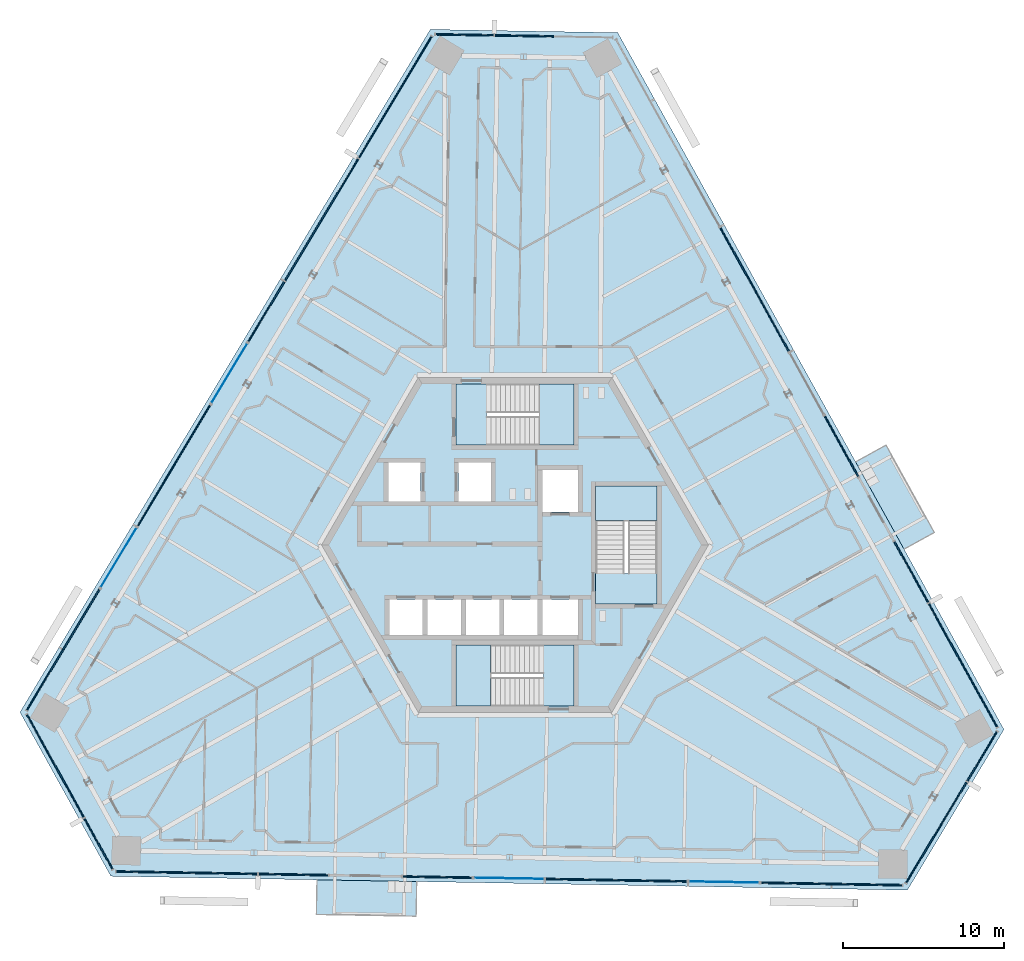
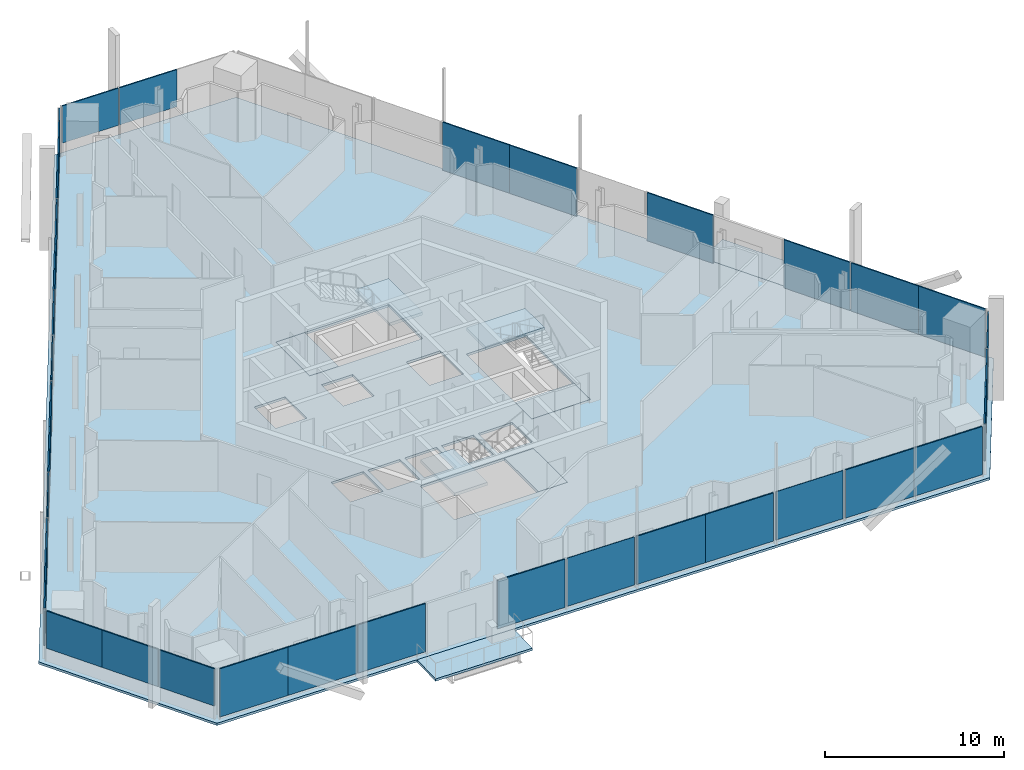
# One storey, part 10 of 22: 35 plates, 9 slabs, 20 elements without a shape of their own.
"""IFC4 building model written with IfcOpenShell, lengths in metres."""

from ifc_helpers import new_model, si_unit, direction, frame, origin, origin_2d, place, context, subcontext, project, spatial, polyline, rectangle, outline, extrude, source, transform, mapped, material, layer, layer_set, type_object, element, aggregate, save


model = new_model("IFC4")

# Units and contexts
model_context = context("Model", 3, precision=1e-05, world=origin(), true_north=direction((0.0, 1.0)))
body_context = subcontext(model_context, "Body", "Model", "MODEL_VIEW")
ifc_project = project(units=[si_unit("LENGTHUNIT", "METRE"), si_unit("AREAUNIT", "SQUARE_METRE"), si_unit("VOLUMEUNIT", "CUBIC_METRE"), si_unit("PLANEANGLEUNIT", "RADIAN"), si_unit("MASSUNIT", "GRAM", prefix="KILO")], contexts=[model_context])

# Site, building, storey
site_placement = place(None, origin())
site = spatial("IfcSite", under=ifc_project, at=site_placement, CompositionType="ELEMENT")
building_placement = place(site_placement, origin())
building = spatial("IfcBuilding", under=site, at=building_placement, Name="Triune Harvest Tower", CompositionType="ELEMENT")
storey_placement = place(building_placement, frame((0.0, 0.0, 208.699951171875)))
storey = spatial("IfcBuildingStorey", under=building, at=storey_placement, Name="L54", CompositionType="ELEMENT", Elevation=208.699951171875)

# Slabs
ifc_material_1 = material(Name="Concrete 40 MPa", Category="concrete")
ifc_layer_1 = layer(ifc_material_1, 0.159912109375)
ifc_layer_set_1 = layer_set([ifc_layer_1], Name="Concrete 40 MPa")
slab_type_1 = type_object("IfcSlabType", Name="BA-1 balcony slab 160", PredefinedType="FLOOR", material=ifc_layer_set_1)
slab_1_placement = place(storey_placement, frame((0.0, 0.0, -0.159912109375)))
element("IfcSlab", 1, at=slab_1_placement, inside=storey, type_object=slab_type_1, Name="Balcony slab B5-F1 L54.4", PredefinedType="FLOOR", context=body_context, shape_type="SweptSolid", body=[
    extrude(outline(polyline([(24.12646484375, -0.256591796875), (21.127685546875, 5.153076171875), (23.00634765625, 6.1943359375), (26.005126953125, 0.78466796875), (24.12646484375, -0.256591796875)])), origin(), (0.0, 0.0, 1.0), 0.159912109375),
])
slab_2_placement = place(storey_placement, frame((0.0, 0.0, -0.159912109375)))
element("IfcSlab", 2, at=slab_2_placement, inside=storey, type_object=slab_type_1, Name="Balcony slab B5-F5 L54.4", PredefinedType="FLOOR", context=body_context, shape_type="SweptSolid", body=[
    extrude(outline(polyline([(-12.285400390625, -20.765869140625), (-6.10107421875, -20.873779296875), (-6.138671875, -23.021484375), (-12.322998046875, -22.913330078125), (-12.285400390625, -20.765869140625)])), origin(), (0.0, 0.0, 1.0), 0.159912109375),
])
ifc_material_2 = material(Name="Concrete 40 MPa", Category="concrete")
ifc_layer_2 = layer(ifc_material_2, 0.159912109375)
ifc_layer_set_2 = layer_set([ifc_layer_2], Name="Concrete 40 MPa")
slab_type_2 = type_object("IfcSlabType", Name="SL-1 Composite floor slab 160", PredefinedType="FLOOR", material=ifc_layer_set_2)
shared_shape_1 = source(origin(), body_context, "Body", "SweptSolid", [
    extrude(outline(polyline([(30.324951171875, -11.439208984375), (6.368896484375, 31.77880859375), (-5.256103515625, 31.981689453125), (-30.705810546875, -10.373779296875), (-25.069091796875, -20.542724609375), (24.3369140625, -21.405029296875), (30.324951171875, -11.439208984375)]), holes=[polyline([(-5.72509765625, -5.590087890625), (-5.72509765625, -3.389892578125), (-7.800048828125, -3.389892578125), (-7.800048828125, -5.590087890625), (-5.72509765625, -5.590087890625)]), polyline([(-3.35009765625, -5.590087890625), (-3.35009765625, -3.389892578125), (-5.425048828125, -3.389892578125), (-5.425048828125, -5.590087890625), (-3.35009765625, -5.590087890625)]), polyline([(-0.97509765625, -5.590087890625), (-0.97509765625, -3.389892578125), (-3.050048828125, -3.389892578125), (-3.050048828125, -5.590087890625), (-0.97509765625, -5.590087890625)]), polyline([(1.39990234375, -5.590087890625), (1.39990234375, -3.389892578125), (-0.675048828125, -3.389892578125), (-0.675048828125, -5.590087890625), (1.39990234375, -5.590087890625)]), polyline([(3.89990234375, 2.06005859375), (3.89990234375, 4.659912109375), (1.699951171875, 4.659912109375), (1.699951171875, 2.06005859375), (3.89990234375, 2.06005859375)]), polyline([(3.89990234375, -5.590087890625), (3.89990234375, -3.389892578125), (1.699951171875, -3.389892578125), (1.699951171875, -5.590087890625), (3.89990234375, -5.590087890625)]), polyline([(-5.85009765625, 2.7099609375), (-5.85009765625, 5.110107421875), (-7.85009765625, 5.110107421875), (-7.85009765625, 2.7099609375), (-5.85009765625, 2.7099609375)]), polyline([(-1.5, 2.7099609375), (-1.5, 5.110107421875), (-3.5, 5.110107421875), (-3.5, 2.7099609375), (-1.5, 2.7099609375)]), polyline([(3.64990234375, 6.18994140625), (3.64990234375, 9.989990234375), (-3.64990234375, 9.989990234375), (-3.64990234375, 6.18994140625), (3.64990234375, 6.18994140625)]), polyline([(3.64990234375, -9.989990234375), (3.64990234375, -6.18994140625), (-3.64990234375, -6.18994140625), (-3.64990234375, -9.989990234375), (3.64990234375, -9.989990234375)]), polyline([(8.800048828125, -3.64990234375), (8.800048828125, 3.64990234375), (5.0, 3.64990234375), (5.0, -3.64990234375), (8.800048828125, -3.64990234375)])]), origin(), (0.0, 0.0, 1.0), 0.159912109375),
])
slab_3_placement = place(storey_placement, frame((0.0, 0.0, -0.159912109375)))
element("IfcSlab", 3, at=slab_3_placement, inside=storey, type_object=slab_type_2, Name="slab/L54/1", PredefinedType="FLOOR", context=body_context, shape_type="MappedRepresentation", body=[
    mapped(shared_shape_1, transform((0.0, 0.0, 0.0), scale=1.0)),
])

# Stair, slabs
ifc_material_3 = material(Name="Concrete 40 MPa", Category="concrete")
stair_type = type_object("IfcStairType", Name="Exit stair 1800 half turn", PredefinedType="HALF_TURN_STAIR", material=ifc_material_3)
stair_1_placement = place(storey_placement, origin())
stair_1 = element("IfcStair", 4, at=stair_1_placement, inside=storey, type_object=stair_type, Name="Exit stair north", PredefinedType="HALF_TURN_STAIR")
ifc_material_4 = material(Name="Concrete 40 MPa", Category="concrete")
ifc_layer_3 = layer(ifc_material_4, 0.199951171875)
ifc_layer_set_3 = layer_set([ifc_layer_3], Name="Concrete 40 MPa")
slab_type_3 = type_object("IfcSlabType", Name="Stair landing 200", PredefinedType="LANDING", material=ifc_layer_set_3)
shared_shape_2 = source(origin(), body_context, "Body", "SweptSolid", [
    extrude(outline(polyline([(1.510009765625, 6.18994140625), (3.64990234375, 6.18994140625), (3.64990234375, 9.989990234375), (1.510009765625, 9.989990234375), (1.510009765625, 6.18994140625)])), origin(), (0.0, 0.0, 1.0), 0.199951171875),
])
slab_4_placement = place(storey_placement, frame((0.0, 0.0, 1.60009765625)))
slab_4 = element("IfcSlab", 5, at=slab_4_placement, type_object=slab_type_3, Name="ST-1 landing 2", PredefinedType="LANDING", context=body_context, shape_type="MappedRepresentation", body=[
    mapped(shared_shape_2, transform((0.0, 0.0, 0.0), scale=1.0)),
])
shared_shape_3 = source(origin(), body_context, "Body", "SweptSolid", [
    extrude(outline(polyline([(-3.64990234375, 6.18994140625), (-1.780029296875, 6.18994140625), (-1.780029296875, 9.989990234375), (-3.64990234375, 9.989990234375), (-3.64990234375, 6.18994140625)])), origin(), (0.0, 0.0, 1.0), 0.199951171875),
])
slab_5_placement = place(storey_placement, frame((0.0, 0.0, -0.199951171875)))
slab_5 = element("IfcSlab", 6, at=slab_5_placement, type_object=slab_type_3, Name="ST-1 landing 1", PredefinedType="LANDING", context=body_context, shape_type="MappedRepresentation", body=[
    mapped(shared_shape_3, transform((0.0, 0.0, 0.0), scale=1.0)),
])
aggregate(stair_1, [slab_5, slab_4])

stair_2_placement = place(storey_placement, origin())
stair_2 = element("IfcStair", 7, at=stair_2_placement, inside=storey, type_object=stair_type, Name="Exit stair south", PredefinedType="HALF_TURN_STAIR")
shared_shape_4 = source(origin(), body_context, "Body", "SweptSolid", [
    extrude(outline(polyline([(-1.510009765625, -6.18994140625), (-3.64990234375, -6.18994140625), (-3.64990234375, -9.989990234375), (-1.510009765625, -9.989990234375), (-1.510009765625, -6.18994140625)])), origin(), (0.0, 0.0, 1.0), 0.199951171875),
])
slab_6_placement = place(storey_placement, frame((0.0, 0.0, 1.60009765625)))
slab_6 = element("IfcSlab", 8, at=slab_6_placement, type_object=slab_type_3, Name="ST-2 landing 2", PredefinedType="LANDING", context=body_context, shape_type="MappedRepresentation", body=[
    mapped(shared_shape_4, transform((0.0, 0.0, 0.0), scale=1.0)),
])
shared_shape_5 = source(origin(), body_context, "Body", "SweptSolid", [
    extrude(outline(polyline([(3.64990234375, -6.18994140625), (1.780029296875, -6.18994140625), (1.780029296875, -9.989990234375), (3.64990234375, -9.989990234375), (3.64990234375, -6.18994140625)])), origin(), (0.0, 0.0, 1.0), 0.199951171875),
])
slab_7_placement = place(storey_placement, frame((0.0, 0.0, -0.199951171875)))
slab_7 = element("IfcSlab", 9, at=slab_7_placement, type_object=slab_type_3, Name="ST-2 landing 1", PredefinedType="LANDING", context=body_context, shape_type="MappedRepresentation", body=[
    mapped(shared_shape_5, transform((0.0, 0.0, 0.0), scale=1.0)),
])
aggregate(stair_2, [slab_7, slab_6])

stair_3_placement = place(storey_placement, origin())
stair_3 = element("IfcStair", 10, at=stair_3_placement, inside=storey, type_object=stair_type, Name="Exit stair east", PredefinedType="HALF_TURN_STAIR")
shared_shape_6 = source(origin(), body_context, "Body", "SweptSolid", [
    extrude(outline(polyline([(8.800048828125, 1.510009765625), (8.800048828125, 3.64990234375), (5.0, 3.64990234375), (5.0, 1.510009765625), (8.800048828125, 1.510009765625)])), origin(), (0.0, 0.0, 1.0), 0.199951171875),
])
slab_8_placement = place(storey_placement, frame((0.0, 0.0, 1.60009765625)))
slab_8 = element("IfcSlab", 11, at=slab_8_placement, type_object=slab_type_3, Name="ST-3 landing 2", PredefinedType="LANDING", context=body_context, shape_type="MappedRepresentation", body=[
    mapped(shared_shape_6, transform((0.0, 0.0, 0.0), scale=1.0)),
])
shared_shape_7 = source(origin(), body_context, "Body", "SweptSolid", [
    extrude(outline(polyline([(8.800048828125, -3.64990234375), (8.800048828125, -1.780029296875), (5.0, -1.780029296875), (5.0, -3.64990234375), (8.800048828125, -3.64990234375)])), origin(), (0.0, 0.0, 1.0), 0.199951171875),
])
slab_9_placement = place(storey_placement, frame((0.0, 0.0, -0.199951171875)))
slab_9 = element("IfcSlab", 12, at=slab_9_placement, type_object=slab_type_3, Name="ST-3 landing 1", PredefinedType="LANDING", context=body_context, shape_type="MappedRepresentation", body=[
    mapped(shared_shape_7, transform((0.0, 0.0, 0.0), scale=1.0)),
])
aggregate(stair_3, [slab_9, slab_8])

# Curtain wall, plate
ifc_material_5 = material(Name="Aluminium bronze anodised", Category="aluminium")
curtain_wall_type_1 = type_object("IfcCurtainWallType", Name="CW-6 Balcony window wall", PredefinedType="NOTDEFINED", material=ifc_material_5)
curtain_wall_1_placement = place(storey_placement, origin())
curtain_wall_1 = element("IfcCurtainWall", 13, at=curtain_wall_1_placement, inside=storey, type_object=curtain_wall_type_1, Name="CW-6 B5-F5 L54 run 1002")
ifc_material_6 = material(Name="Glass", Category="glass")
ifc_layer_4 = layer(ifc_material_6, 0.030029296875)
ifc_layer_set_4 = layer_set([ifc_layer_4], Name="Glass")
plate_type_1 = type_object("IfcPlateType", Name="GL-6 panel 30", PredefinedType="CURTAIN_PANEL", material=ifc_layer_set_4)
shared_shape_8 = source(origin(), body_context, "Body", "SweptSolid", [
    extrude(rectangle(XDim=4.2978515625, YDim=0.030029296875, at=origin_2d()), origin(), (0.0, 0.0, 1.0), 3.2900390625),
])
plate_1_placement = place(storey_placement, frame((-0.380126953125, -20.673583984375, 0.150146484375), z_axis=(0.0, 0.0, 1.0), x_axis=(0.999847790944, -0.017446917898, 0.0)))
plate_1 = element("IfcPlate", 14, at=plate_1_placement, type_object=plate_type_1, Name="CW-6 panel B5-F5 1002.1", PredefinedType="CURTAIN_PANEL", context=body_context, shape_type="MappedRepresentation", body=[
    mapped(shared_shape_8, transform((0.0, 0.0, 0.0), scale=1.0)),
])
aggregate(curtain_wall_1, [plate_1])

curtain_wall_2_placement = place(storey_placement, origin())
curtain_wall_2 = element("IfcCurtainWall", 15, at=curtain_wall_2_placement, inside=storey, type_object=curtain_wall_type_1, Name="CW-6 B5-F5 L54 run 3002")
plate_2_placement = place(storey_placement, frame((12.961181640625, -20.906494140625, 0.150146484375), z_axis=(0.0, 0.0, 1.0), x_axis=(0.999847790944, -0.017446917898, 0.0)))
plate_2 = element("IfcPlate", 16, at=plate_2_placement, type_object=plate_type_1, Name="CW-6 panel B5-F5 3002.1", PredefinedType="CURTAIN_PANEL", context=body_context, shape_type="MappedRepresentation", body=[
    mapped(shared_shape_8, transform((0.0, 0.0, 0.0), scale=1.0)),
])
aggregate(curtain_wall_2, [plate_2])

ifc_material_7 = material(Name="Aluminium bronze anodised", Category="aluminium")
curtain_wall_type_2 = type_object("IfcCurtainWallType", Name="CW-10 Balcony window wall with insulated spandrel infill", PredefinedType="NOTDEFINED", material=ifc_material_7)
curtain_wall_3_placement = place(storey_placement, origin())
curtain_wall_3 = element("IfcCurtainWall", 17, at=curtain_wall_3_placement, inside=storey, type_object=curtain_wall_type_2, Name="CW-10 B5-F1 L54 run 2")
ifc_material_8 = material(Name="Insulated spandrel panel, bronze aluminium pan", Category="aluminium")
ifc_layer_5 = layer(ifc_material_8, 0.080078125)
ifc_layer_set_5 = layer_set([ifc_layer_5], Name="Insulated spandrel panel, bronze aluminium pan")
plate_type_2 = type_object("IfcPlateType", Name="SP-1 insulated spandrel panel 80", PredefinedType="CURTAIN_PANEL", material=ifc_layer_set_5)
shared_shape_9 = source(origin(), body_context, "Body", "SweptSolid", [
    extrude(rectangle(XDim=4.2978515625, YDim=0.080078125, at=origin_2d()), origin(), (0.0, 0.0, 1.0), 3.2900390625),
])
plate_3_placement = place(storey_placement, frame((20.250244140625, 6.117431640625, 0.150146484375), z_axis=(0.0, 0.0, 1.0), x_axis=(-0.484799125803, 0.874625524222, 0.0)))
plate_3 = element("IfcPlate", 18, at=plate_3_placement, type_object=plate_type_2, Name="CW-10 panel B5-F1 2.1", PredefinedType="CURTAIN_PANEL", context=body_context, shape_type="MappedRepresentation", body=[
    mapped(shared_shape_9, transform((0.0, 0.0, 0.0), scale=1.0)),
])
aggregate(curtain_wall_3, [plate_3])

curtain_wall_4_placement = place(storey_placement, origin())
curtain_wall_4 = element("IfcCurtainWall", 19, at=curtain_wall_4_placement, inside=storey, type_object=curtain_wall_type_2, Name="CW-10 B5-F5 L54 run 2")
plate_4_placement = place(storey_placement, frame((-4.8271484375, -20.595947265625, 0.150146484375), z_axis=(0.0, 0.0, 1.0), x_axis=(0.999847718381, -0.017451075826, 0.0)))
plate_4 = element("IfcPlate", 20, at=plate_4_placement, type_object=plate_type_2, Name="CW-10 panel B5-F5 2.1", PredefinedType="CURTAIN_PANEL", context=body_context, shape_type="MappedRepresentation", body=[
    mapped(shared_shape_9, transform((0.0, 0.0, 0.0), scale=1.0)),
])
aggregate(curtain_wall_4, [plate_4])

# Curtain wall, plates
ifc_material_9 = material(Name="Aluminium bronze anodised", Category="aluminium")
curtain_wall_type_3 = type_object("IfcCurtainWallType", Name="CW-7 Tower stick curtain wall with insulated spandrel infill", PredefinedType="NOTDEFINED", material=ifc_material_9)
curtain_wall_5_placement = place(storey_placement, origin())
curtain_wall_5 = element("IfcCurtainWall", 21, at=curtain_wall_5_placement, inside=storey, type_object=curtain_wall_type_3, Name="CW-7 B5-F3 L54 run 4001")
shared_shape_10 = source(origin(), body_context, "Body", "SweptSolid", [
    extrude(rectangle(XDim=4.369384765625, YDim=0.080078125, at=origin_2d()), origin(), (0.0, 0.0, 1.0), 2.5400390625),
])
plate_5_placement = place(storey_placement, frame((-26.898681640625, -4.62060546875, 0.900146484375), z_axis=(0.0, 0.0, 1.0), x_axis=(-0.515039460855, -0.857166467941, 0.0)))
plate_5 = element("IfcPlate", 22, at=plate_5_placement, type_object=plate_type_2, Name="CW-7 panel B5-F3 4001.1", PredefinedType="CURTAIN_PANEL", context=body_context, shape_type="MappedRepresentation", body=[
    mapped(shared_shape_10, transform((0.0, 0.0, 0.0), scale=1.0)),
])
plate_6_placement = place(storey_placement, frame((-29.149169921875, -8.36572265625, 0.900146484375), z_axis=(0.0, 0.0, 1.0), x_axis=(-0.515039460855, -0.857166467941, 0.0)))
plate_6 = element("IfcPlate", 23, at=plate_6_placement, type_object=plate_type_2, Name="CW-7 panel B5-F3 4001.2", PredefinedType="CURTAIN_PANEL", context=body_context, shape_type="MappedRepresentation", body=[
    mapped(shared_shape_10, transform((0.0, 0.0, 0.0), scale=1.0)),
])
aggregate(curtain_wall_5, [plate_5, plate_6])

curtain_wall_6_placement = place(storey_placement, origin())
curtain_wall_6 = element("IfcCurtainWall", 24, at=curtain_wall_6_placement, inside=storey, type_object=curtain_wall_type_3, Name="CW-7 B5-F3 L54 run 1")
shared_shape_11 = source(origin(), body_context, "Body", "SweptSolid", [
    extrude(rectangle(XDim=4.40673828125, YDim=0.080078125, at=origin_2d()), origin(), (0.0, 0.0, 1.0), 2.5400390625),
])
plate_7_placement = place(storey_placement, frame((-8.55810546875, 25.9033203125, 0.900146484375), z_axis=(0.0, 0.0, 1.0), x_axis=(-0.51503613296, -0.85716846754, 0.0)))
plate_7 = element("IfcPlate", 25, at=plate_7_placement, type_object=plate_type_2, Name="CW-7 panel B5-F3 1.2", PredefinedType="CURTAIN_PANEL", context=body_context, shape_type="MappedRepresentation", body=[
    mapped(shared_shape_11, transform((0.0, 0.0, 0.0), scale=1.0)),
])
plate_8_placement = place(storey_placement, frame((-10.866455078125, 22.061767578125, 0.900146484375), z_axis=(0.0, 0.0, 1.0), x_axis=(-0.51503613296, -0.85716846754, 0.0)))
plate_8 = element("IfcPlate", 26, at=plate_8_placement, type_object=plate_type_2, Name="CW-7 panel B5-F3 1.3", PredefinedType="CURTAIN_PANEL", context=body_context, shape_type="MappedRepresentation", body=[
    mapped(shared_shape_11, transform((0.0, 0.0, 0.0), scale=1.0)),
])
plate_9_placement = place(storey_placement, frame((-13.13623046875, 18.284423828125, 0.900146484375), z_axis=(0.0, 0.0, 1.0), x_axis=(-0.51503613296, -0.85716846754, 0.0)))
plate_9 = element("IfcPlate", 27, at=plate_9_placement, type_object=plate_type_2, Name="CW-7 panel B5-F3 1.4", PredefinedType="CURTAIN_PANEL", context=body_context, shape_type="MappedRepresentation", body=[
    mapped(shared_shape_11, transform((0.0, 0.0, 0.0), scale=1.0)),
])

# Curtain wall, plate
curtain_wall_7_placement = place(storey_placement, origin())
curtain_wall_7 = element("IfcCurtainWall", 28, at=curtain_wall_7_placement, inside=storey, type_object=curtain_wall_type_2, Name="CW-10 B5-F1 L54 run 1")
shared_shape_12 = source(origin(), body_context, "Body", "SweptSolid", [
    extrude(rectangle(XDim=4.355712890625, YDim=0.080078125, at=origin_2d()), origin(), (0.0, 0.0, 1.0), 3.2900390625),
])
plate_10_placement = place(storey_placement, frame((28.8427734375, -9.384033203125, 0.150146484375), z_axis=(0.0, 0.0, 1.0), x_axis=(-0.48480848305, 0.874620337497, 0.0)))
plate_10 = element("IfcPlate", 29, at=plate_10_placement, type_object=plate_type_2, Name="CW-10 panel B5-F1 1.1", PredefinedType="CURTAIN_PANEL", context=body_context, shape_type="MappedRepresentation", body=[
    mapped(shared_shape_12, transform((0.0, 0.0, 0.0), scale=1.0)),
])

curtain_wall_8_placement = place(storey_placement, origin())
curtain_wall_8 = element("IfcCurtainWall", 30, at=curtain_wall_8_placement, inside=storey, type_object=curtain_wall_type_2, Name="CW-10 B5-F5 L54 run 1")
plate_11_placement = place(storey_placement, frame((-22.548095703125, -20.28662109375, 0.150146484375), z_axis=(0.0, 0.0, 1.0), x_axis=(0.999847708228, -0.017451657526, 0.0)))
plate_11 = element("IfcPlate", 31, at=plate_11_placement, type_object=plate_type_2, Name="CW-10 panel B5-F5 1.1", PredefinedType="CURTAIN_PANEL", context=body_context, shape_type="MappedRepresentation", body=[
    mapped(shared_shape_12, transform((0.0, 0.0, 0.0), scale=1.0)),
])

# Plate
shared_shape_13 = source(origin(), body_context, "Body", "SweptSolid", [
    extrude(rectangle(XDim=4.39306640625, YDim=0.080078125, at=origin_2d()), origin(), (0.0, 0.0, 1.0), 3.2900390625),
])
plate_12_placement = place(storey_placement, frame((26.721923828125, -5.55810546875, 0.150146484375), z_axis=(0.0, 0.0, 1.0), x_axis=(-0.48480848305, 0.874620337497, 0.0)))
plate_12 = element("IfcPlate", 32, at=plate_12_placement, type_object=plate_type_2, Name="CW-10 panel B5-F1 1.2", PredefinedType="CURTAIN_PANEL", context=body_context, shape_type="MappedRepresentation", body=[
    mapped(shared_shape_13, transform((0.0, 0.0, 0.0), scale=1.0)),
])

plate_13_placement = place(storey_placement, frame((-18.17431640625, -20.363037109375, 0.150146484375), z_axis=(0.0, 0.0, 1.0), x_axis=(0.999847708228, -0.017451657526, 0.0)))
plate_13 = element("IfcPlate", 33, at=plate_13_placement, type_object=plate_type_2, Name="CW-10 panel B5-F5 1.2", PredefinedType="CURTAIN_PANEL", context=body_context, shape_type="MappedRepresentation", body=[
    mapped(shared_shape_13, transform((0.0, 0.0, 0.0), scale=1.0)),
])

shared_shape_14 = source(origin(), body_context, "Body", "SweptSolid", [
    extrude(rectangle(XDim=4.318115234375, YDim=0.080078125, at=origin_2d()), origin(), (0.0, 0.0, 1.0), 3.2900390625),
])
plate_14_placement = place(storey_placement, frame((24.573974609375, -1.682861328125, 0.150146484375), z_axis=(0.0, 0.0, 1.0), x_axis=(-0.48480848305, 0.874620337497, 0.0)))
plate_14 = element("IfcPlate", 34, at=plate_14_placement, type_object=plate_type_2, Name="CW-10 panel B5-F1 1.3", PredefinedType="CURTAIN_PANEL", context=body_context, shape_type="MappedRepresentation", body=[
    mapped(shared_shape_14, transform((0.0, 0.0, 0.0), scale=1.0)),
])

aggregate(curtain_wall_7, [plate_10, plate_12, plate_14])

plate_15_placement = place(storey_placement, frame((-13.744384765625, -20.4404296875, 0.150146484375), z_axis=(0.0, 0.0, 1.0), x_axis=(0.999847708228, -0.017451657526, 0.0)))
plate_15 = element("IfcPlate", 35, at=plate_15_placement, type_object=plate_type_2, Name="CW-10 panel B5-F5 1.3", PredefinedType="CURTAIN_PANEL", context=body_context, shape_type="MappedRepresentation", body=[
    mapped(shared_shape_14, transform((0.0, 0.0, 0.0), scale=1.0)),
])

aggregate(curtain_wall_8, [plate_11, plate_13, plate_15])

# Curtain wall, plates
curtain_wall_9_placement = place(storey_placement, origin())
curtain_wall_9 = element("IfcCurtainWall", 36, at=curtain_wall_9_placement, inside=storey, type_object=curtain_wall_type_2, Name="CW-10 B5-F1 L54 run 2002")
shared_shape_15 = source(origin(), body_context, "Body", "SweptSolid", [
    extrude(rectangle(XDim=4.372802734375, YDim=0.080078125, at=origin_2d()), origin(), (0.0, 0.0, 1.0), 3.2900390625),
])
plate_16_placement = place(storey_placement, frame((15.91943359375, 13.930419921875, 0.150146484375), z_axis=(0.0, 0.0, 1.0), x_axis=(-0.484806586189, 0.874621388938, 0.0)))
plate_16 = element("IfcPlate", 37, at=plate_16_placement, type_object=plate_type_2, Name="CW-10 panel B5-F1 2002.1", PredefinedType="CURTAIN_PANEL", context=body_context, shape_type="MappedRepresentation", body=[
    mapped(shared_shape_15, transform((0.0, 0.0, 0.0), scale=1.0)),
])
plate_17_placement = place(storey_placement, frame((13.79931640625, 17.7548828125, 0.150146484375), z_axis=(0.0, 0.0, 1.0), x_axis=(-0.484806586189, 0.874621388938, 0.0)))
plate_17 = element("IfcPlate", 38, at=plate_17_placement, type_object=plate_type_2, Name="CW-10 panel B5-F1 2002.2", PredefinedType="CURTAIN_PANEL", context=body_context, shape_type="MappedRepresentation", body=[
    mapped(shared_shape_15, transform((0.0, 0.0, 0.0), scale=1.0)),
])
aggregate(curtain_wall_9, [plate_16, plate_17])

curtain_wall_10_placement = place(storey_placement, origin())
curtain_wall_10 = element("IfcCurtainWall", 39, at=curtain_wall_10_placement, inside=storey, type_object=curtain_wall_type_2, Name="CW-10 B5-F5 L54 run 2002")
plate_18_placement = place(storey_placement, frame((4.1044921875, -20.751953125, 0.150146484375), z_axis=(0.0, 0.0, 1.0), x_axis=(0.99984759478, -0.017458156037, 0.0)))
plate_18 = element("IfcPlate", 40, at=plate_18_placement, type_object=plate_type_2, Name="CW-10 panel B5-F5 2002.1", PredefinedType="CURTAIN_PANEL", context=body_context, shape_type="MappedRepresentation", body=[
    mapped(shared_shape_15, transform((0.0, 0.0, 0.0), scale=1.0)),
])
plate_19_placement = place(storey_placement, frame((8.4765625, -20.828125, 0.150146484375), z_axis=(0.0, 0.0, 1.0), x_axis=(0.99984759478, -0.017458156037, 0.0)))
plate_19 = element("IfcPlate", 41, at=plate_19_placement, type_object=plate_type_2, Name="CW-10 panel B5-F5 2002.2", PredefinedType="CURTAIN_PANEL", context=body_context, shape_type="MappedRepresentation", body=[
    mapped(shared_shape_15, transform((0.0, 0.0, 0.0), scale=1.0)),
])
aggregate(curtain_wall_10, [plate_18, plate_19])

curtain_wall_11_placement = place(storey_placement, origin())
curtain_wall_11 = element("IfcCurtainWall", 42, at=curtain_wall_11_placement, inside=storey, type_object=curtain_wall_type_2, Name="CW-10 B5-F5 L54 run 4002")
plate_20_placement = place(storey_placement, frame((17.44580078125, -20.98486328125, 0.150146484375), z_axis=(0.0, 0.0, 1.0), x_axis=(0.999847733851, -0.017450189509, 0.0)))
plate_20 = element("IfcPlate", 43, at=plate_20_placement, type_object=plate_type_2, Name="CW-10 panel B5-F5 4002.1", PredefinedType="CURTAIN_PANEL", context=body_context, shape_type="MappedRepresentation", body=[
    mapped(shared_shape_15, transform((0.0, 0.0, 0.0), scale=1.0)),
])
plate_21_placement = place(storey_placement, frame((21.81787109375, -21.06103515625, 0.150146484375), z_axis=(0.0, 0.0, 1.0), x_axis=(0.999847733851, -0.017450189509, 0.0)))
plate_21 = element("IfcPlate", 44, at=plate_21_placement, type_object=plate_type_2, Name="CW-10 panel B5-F5 4002.2", PredefinedType="CURTAIN_PANEL", context=body_context, shape_type="MappedRepresentation", body=[
    mapped(shared_shape_15, transform((0.0, 0.0, 0.0), scale=1.0)),
])
aggregate(curtain_wall_11, [plate_20, plate_21])

# Plate
shared_shape_16 = source(origin(), body_context, "Body", "SweptSolid", [
    extrude(rectangle(XDim=4.369140625, YDim=0.080078125, at=origin_2d()), origin(), (0.0, 0.0, 1.0), 2.5400390625),
])
plate_22_placement = place(storey_placement, frame((-6.29833984375, 29.664794921875, 0.900146484375), z_axis=(0.0, 0.0, 1.0), x_axis=(-0.51503613296, -0.85716846754, 0.0)))
plate_22 = element("IfcPlate", 45, at=plate_22_placement, type_object=plate_type_2, Name="CW-7 panel B5-F3 1.1", PredefinedType="CURTAIN_PANEL", context=body_context, shape_type="MappedRepresentation", body=[
    mapped(shared_shape_16, transform((0.0, 0.0, 0.0), scale=1.0)),
])

# Curtain wall, plates
curtain_wall_12_placement = place(storey_placement, origin())
curtain_wall_12 = element("IfcCurtainWall", 46, at=curtain_wall_12_placement, inside=storey, type_object=curtain_wall_type_3, Name="CW-7 B5-F3 L54 run 2001")
plate_23_placement = place(storey_placement, frame((-20.031982421875, 6.807861328125, 0.900146484375), z_axis=(0.0, 0.0, 1.0), x_axis=(-0.515038325347, -0.857167150224, 0.0)))
plate_23 = element("IfcPlate", 47, at=plate_23_placement, type_object=plate_type_2, Name="CW-7 panel B5-F3 2001.1", PredefinedType="CURTAIN_PANEL", context=body_context, shape_type="MappedRepresentation", body=[
    mapped(shared_shape_16, transform((0.0, 0.0, 0.0), scale=1.0)),
])
plate_24_placement = place(storey_placement, frame((-22.2822265625, 3.062744140625, 0.900146484375), z_axis=(0.0, 0.0, 1.0), x_axis=(-0.515038325347, -0.857167150224, 0.0)))
plate_24 = element("IfcPlate", 48, at=plate_24_placement, type_object=plate_type_2, Name="CW-7 panel B5-F3 2001.2", PredefinedType="CURTAIN_PANEL", context=body_context, shape_type="MappedRepresentation", body=[
    mapped(shared_shape_16, transform((0.0, 0.0, 0.0), scale=1.0)),
])
aggregate(curtain_wall_12, [plate_23, plate_24])

# Plate
shared_shape_17 = source(origin(), body_context, "Body", "SweptSolid", [
    extrude(rectangle(XDim=4.331787109375, YDim=0.080078125, at=origin_2d()), origin(), (0.0, 0.0, 1.0), 2.5400390625),
])
plate_25_placement = place(storey_placement, frame((-15.425048828125, 14.47509765625, 0.900146484375), z_axis=(0.0, 0.0, 1.0), x_axis=(-0.51503613296, -0.85716846754, 0.0)))
plate_25 = element("IfcPlate", 49, at=plate_25_placement, type_object=plate_type_2, Name="CW-7 panel B5-F3 1.5", PredefinedType="CURTAIN_PANEL", context=body_context, shape_type="MappedRepresentation", body=[
    mapped(shared_shape_17, transform((0.0, 0.0, 0.0), scale=1.0)),
])

aggregate(curtain_wall_6, [plate_22, plate_7, plate_8, plate_9, plate_25])

# Curtain wall, plate
ifc_material_10 = material(Name="Aluminium bronze anodised", Category="aluminium")
curtain_wall_type_4 = type_object("IfcCurtainWallType", Name="CW-1 Tower stick curtain wall", PredefinedType="NOTDEFINED", material=ifc_material_10)
curtain_wall_13_placement = place(storey_placement, origin())
curtain_wall_13 = element("IfcCurtainWall", 50, at=curtain_wall_13_placement, inside=storey, type_object=curtain_wall_type_4, Name="CW-1 B5-F3 L54 run 1001")
ifc_material_11 = material(Name="Glass", Category="glass")
ifc_layer_6 = layer(ifc_material_11, 0.031982421875)
ifc_layer_set_6 = layer_set([ifc_layer_6], Name="Glass")
plate_type_3 = type_object("IfcPlateType", Name="GL-1 panel 32", PredefinedType="CURTAIN_PANEL", material=ifc_layer_set_6)
shared_shape_18 = source(origin(), body_context, "Body", "SweptSolid", [
    extrude(rectangle(XDim=4.294189453125, YDim=0.031982421875, at=origin_2d()), origin(), (0.0, 0.0, 1.0), 2.5400390625),
])
plate_26_placement = place(storey_placement, frame((-17.7236328125, 10.6494140625, 0.900146484375), z_axis=(0.0, 0.0, 1.0), x_axis=(-0.515041624648, -0.857165167795, 0.0)))
plate_26 = element("IfcPlate", 51, at=plate_26_placement, type_object=plate_type_3, Name="CW-1 panel B5-F3 1001.1", PredefinedType="CURTAIN_PANEL", context=body_context, shape_type="MappedRepresentation", body=[
    mapped(shared_shape_18, transform((0.0, 0.0, 0.0), scale=1.0)),
])
aggregate(curtain_wall_13, [plate_26])

curtain_wall_14_placement = place(storey_placement, origin())
curtain_wall_14 = element("IfcCurtainWall", 52, at=curtain_wall_14_placement, inside=storey, type_object=curtain_wall_type_4, Name="CW-1 B5-F3 L54 run 3001")
plate_27_placement = place(storey_placement, frame((-24.590576171875, -0.779052734375, 0.900146484375), z_axis=(0.0, 0.0, 1.0), x_axis=(-0.515025092358, -0.857175101273, 0.0)))
plate_27 = element("IfcPlate", 53, at=plate_27_placement, type_object=plate_type_3, Name="CW-1 panel B5-F3 3001.1", PredefinedType="CURTAIN_PANEL", context=body_context, shape_type="MappedRepresentation", body=[
    mapped(shared_shape_18, transform((0.0, 0.0, 0.0), scale=1.0)),
])
aggregate(curtain_wall_14, [plate_27])

curtain_wall_15_placement = place(storey_placement, origin())
curtain_wall_15 = element("IfcCurtainWall", 54, at=curtain_wall_15_placement, inside=storey, type_object=curtain_wall_type_3, Name="CW-7 B5-F4 L54 run 1")
shared_shape_19 = source(origin(), body_context, "Body", "SweptSolid", [
    extrude(rectangle(XDim=3.625, YDim=0.080078125, at=origin_2d()), origin(), (0.0, 0.0, 1.0), 2.5400390625),
])
plate_28_placement = place(storey_placement, frame((-29.400634765625, -12.109375, 0.900146484375), z_axis=(0.0, 0.0, 1.0), x_axis=(0.484801950362, -0.874623958582, 0.0)))
plate_28 = element("IfcPlate", 55, at=plate_28_placement, type_object=plate_type_2, Name="CW-7 panel B5-F4 1.1", PredefinedType="CURTAIN_PANEL", context=body_context, shape_type="MappedRepresentation", body=[
    mapped(shared_shape_19, transform((0.0, 0.0, 0.0), scale=1.0)),
])

curtain_wall_16_placement = place(storey_placement, origin())
curtain_wall_16 = element("IfcCurtainWall", 56, at=curtain_wall_16_placement, inside=storey, type_object=curtain_wall_type_3, Name="CW-7 B5-F6 L54 run 1")
plate_29_placement = place(storey_placement, frame((25.1875, -19.406982421875, 0.900146484375), z_axis=(0.0, 0.0, 1.0), x_axis=(0.515036685882, 0.857168135313, 0.0)))
plate_29 = element("IfcPlate", 57, at=plate_29_placement, type_object=plate_type_2, Name="CW-7 panel B5-F6 1.1", PredefinedType="CURTAIN_PANEL", context=body_context, shape_type="MappedRepresentation", body=[
    mapped(shared_shape_19, transform((0.0, 0.0, 0.0), scale=1.0)),
])

curtain_wall_17_placement = place(storey_placement, origin())
curtain_wall_17 = element("IfcCurtainWall", 58, at=curtain_wall_17_placement, inside=storey, type_object=curtain_wall_type_3, Name="CW-7 B5-F2 L54 run 1")
shared_shape_20 = source(origin(), body_context, "Body", "SweptSolid", [
    extrude(rectangle(XDim=3.66259765625, YDim=0.080078125, at=origin_2d()), origin(), (0.0, 0.0, 1.0), 2.5400390625),
])
plate_30_placement = place(storey_placement, frame((0.570068359375, 31.580078125, 0.900146484375), z_axis=(0.0, 0.0, 1.0), x_axis=(-0.999847801404, 0.017446318452, 0.0)))
plate_30 = element("IfcPlate", 59, at=plate_30_placement, type_object=plate_type_2, Name="CW-7 panel B5-F2 1.2", PredefinedType="CURTAIN_PANEL", context=body_context, shape_type="MappedRepresentation", body=[
    mapped(shared_shape_20, transform((0.0, 0.0, 0.0), scale=1.0)),
])

# Plate
plate_31_placement = place(storey_placement, frame((-27.634033203125, -15.29638671875, 0.900146484375), z_axis=(0.0, 0.0, 1.0), x_axis=(0.484801950362, -0.874623958582, 0.0)))
plate_31 = element("IfcPlate", 60, at=plate_31_placement, type_object=plate_type_2, Name="CW-7 panel B5-F4 1.2", PredefinedType="CURTAIN_PANEL", context=body_context, shape_type="MappedRepresentation", body=[
    mapped(shared_shape_20, transform((0.0, 0.0, 0.0), scale=1.0)),
])

plate_32_placement = place(storey_placement, frame((27.064208984375, -16.28369140625, 0.900146484375), z_axis=(0.0, 0.0, 1.0), x_axis=(0.515036685882, 0.857168135313, 0.0)))
plate_32 = element("IfcPlate", 61, at=plate_32_placement, type_object=plate_type_2, Name="CW-7 panel B5-F6 1.2", PredefinedType="CURTAIN_PANEL", context=body_context, shape_type="MappedRepresentation", body=[
    mapped(shared_shape_20, transform((0.0, 0.0, 0.0), scale=1.0)),
])

shared_shape_21 = source(origin(), body_context, "Body", "SweptSolid", [
    extrude(rectangle(XDim=3.587646484375, YDim=0.080078125, at=origin_2d()), origin(), (0.0, 0.0, 1.0), 2.5400390625),
])
plate_33_placement = place(storey_placement, frame((-3.129638671875, 31.64453125, 0.900146484375), z_axis=(0.0, 0.0, 1.0), x_axis=(-0.999847801404, 0.017446318452, 0.0)))
plate_33 = element("IfcPlate", 62, at=plate_33_placement, type_object=plate_type_2, Name="CW-7 panel B5-F2 1.3", PredefinedType="CURTAIN_PANEL", context=body_context, shape_type="MappedRepresentation", body=[
    mapped(shared_shape_21, transform((0.0, 0.0, 0.0), scale=1.0)),
])

aggregate(curtain_wall_17, [plate_30, plate_33])

plate_34_placement = place(storey_placement, frame((-25.84033203125, -18.532470703125, 0.900146484375), z_axis=(0.0, 0.0, 1.0), x_axis=(0.484801950362, -0.874623958582, 0.0)))
plate_34 = element("IfcPlate", 63, at=plate_34_placement, type_object=plate_type_2, Name="CW-7 panel B5-F4 1.3", PredefinedType="CURTAIN_PANEL", context=body_context, shape_type="MappedRepresentation", body=[
    mapped(shared_shape_21, transform((0.0, 0.0, 0.0), scale=1.0)),
])

aggregate(curtain_wall_15, [plate_28, plate_31, plate_34])

plate_35_placement = place(storey_placement, frame((28.9697265625, -13.112060546875, 0.900146484375), z_axis=(0.0, 0.0, 1.0), x_axis=(0.515036685882, 0.857168135313, 0.0)))
plate_35 = element("IfcPlate", 64, at=plate_35_placement, type_object=plate_type_2, Name="CW-7 panel B5-F6 1.3", PredefinedType="CURTAIN_PANEL", context=body_context, shape_type="MappedRepresentation", body=[
    mapped(shared_shape_21, transform((0.0, 0.0, 0.0), scale=1.0)),
])

aggregate(curtain_wall_16, [plate_29, plate_32, plate_35])

save(model, "model.ifc")
